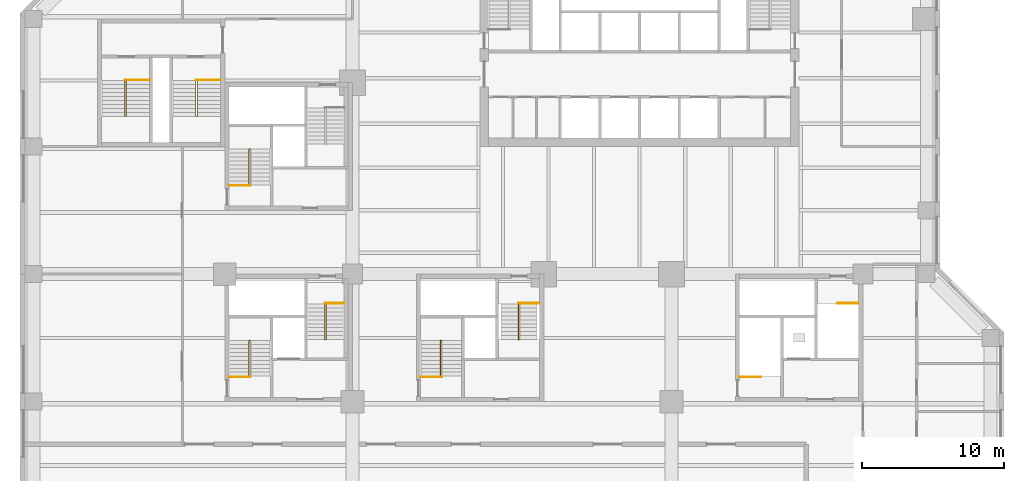
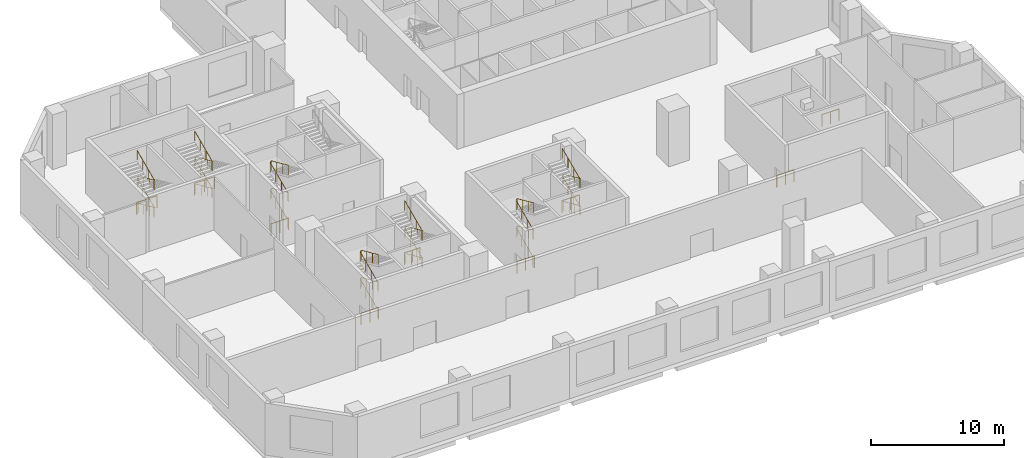
# One storey, part 11 of 12: 16 railings.
"""IFC4 building model written with IfcOpenShell, lengths in metres."""

from ifc_helpers import new_model, si_unit, direction, frame, origin, origin_2d, place, context, subcontext, project, spatial, circle, extrude, material, type_object, element, save


model = new_model("IFC4")

# Units and contexts
model_context = context("Model", 3, precision=1e-05, world=origin(), true_north=direction((0.0, 1.0)))
body_context = subcontext(model_context, "Body", "Model", "MODEL_VIEW")
ifc_project = project(units=[si_unit("LENGTHUNIT", "METRE"), si_unit("AREAUNIT", "SQUARE_METRE"), si_unit("VOLUMEUNIT", "CUBIC_METRE"), si_unit("PLANEANGLEUNIT", "RADIAN"), si_unit("MASSUNIT", "GRAM", prefix="KILO")], contexts=[model_context])

# Site, building, storey
site_placement = place(None, origin())
site = spatial("IfcSite", under=ifc_project, at=site_placement, CompositionType="ELEMENT")
building_placement = place(site_placement, origin())
building = spatial("IfcBuilding", under=site, at=building_placement, Name="Quoin Convention Tower", CompositionType="ELEMENT")
storey_placement = place(building_placement, frame((0.0, 0.0, 13.5)))
storey = spatial("IfcBuildingStorey", under=building, at=storey_placement, Name="L02", CompositionType="ELEMENT", Elevation=13.5)

# Railings
ifc_material = material(Name="Stainless steel", Category="steel")
railing_type_1 = type_object("IfcRailingType", Name="Stair handrail 900", PredefinedType="HANDRAIL", material=ifc_material)
railing_1_placement = place(storey_placement, frame((28.705078125, 46.800048828125, 0.125)))
element("IfcRailing", 1, at=railing_1_placement, inside=storey, type_object=railing_type_1, Name="SD3 handrail 1", PredefinedType="HANDRAIL", context=body_context, shape_type="SweptSolid", body=[
    extrude(circle(Radius=0.02392578125, at=origin_2d()), frame((0.0, 0.0, 0.8759765625), z_axis=(0.0, 0.913139058521, 0.407648205936), x_axis=(-1.0, 0.0, 0.0)), (0.0, 0.0, 1.0), 2.759765625),
    extrude(circle(Radius=0.02392578125, at=origin_2d()), frame((0.0, 2.52001953125, 2.0009765625), z_axis=(0.583636048153, 0.0, 0.812015371343), x_axis=(0.0, 1.0, 0.0)), (0.0, 0.0, 1.0), 0.154052734375),
    extrude(circle(Radius=0.02392578125, at=origin_2d()), frame((0.08984375, 2.52001953125, 2.1259765625), z_axis=(0.0, -0.913139058521, 0.407648205936), x_axis=(1.0, 0.0, 0.0)), (0.0, 0.0, 1.0), 2.759765625),
    extrude(circle(Radius=0.02392578125, at=origin_2d()), frame((0.08984375, 0.0, 3.2509765625), z_axis=(-0.583636048153, 0.0, 0.812015371343), x_axis=(0.0, -1.0, 0.0)), (0.0, 0.0, 1.0), 0.154052734375),
    extrude(circle(Radius=0.02392578125, at=origin_2d()), frame((0.0, 0.0, 3.3759765625), z_axis=(0.0, 0.913139058521, 0.407648205936), x_axis=(-1.0, 0.0, 0.0)), (0.0, 0.0, 1.0), 2.759765625),
    extrude(circle(Radius=0.02392578125, at=origin_2d()), frame((0.0, 2.52001953125, 4.5009765625), z_axis=(0.583636048153, 0.0, 0.812015371343), x_axis=(0.0, 1.0, 0.0)), (0.0, 0.0, 1.0), 0.154052734375),
    extrude(circle(Radius=0.02392578125, at=origin_2d()), frame((0.08984375, 2.52001953125, 4.6259765625), z_axis=(0.0, -0.913139058521, 0.407648205936), x_axis=(1.0, 0.0, 0.0)), (0.0, 0.0, 1.0), 2.759765625),
    extrude(circle(Radius=0.02099609375, at=origin_2d()), origin(), (0.0, 0.0, 1.0), 0.851806640625),
    extrude(circle(Radius=0.02099609375, at=origin_2d()), frame((0.0, 0.840087890625, 0.375)), (0.0, 0.0, 1.0), 0.851806640625),
    extrude(circle(Radius=0.02099609375, at=origin_2d()), frame((0.0, 1.679931640625, 0.75)), (0.0, 0.0, 1.0), 0.851806640625),
    extrude(circle(Radius=0.02099609375, at=origin_2d()), frame((0.0, 2.52001953125, 1.125)), (0.0, 0.0, 1.0), 0.851806640625),
    extrude(circle(Radius=0.02099609375, at=origin_2d()), frame((0.08984375, 2.52001953125, 1.25)), (0.0, 0.0, 1.0), 0.851806640625),
    extrude(circle(Radius=0.02099609375, at=origin_2d()), frame((0.08984375, 1.679931640625, 1.625)), (0.0, 0.0, 1.0), 0.851806640625),
    extrude(circle(Radius=0.02099609375, at=origin_2d()), frame((0.08984375, 0.840087890625, 2.0)), (0.0, 0.0, 1.0), 0.851806640625),
    extrude(circle(Radius=0.02099609375, at=origin_2d()), frame((0.08984375, 0.0, 2.375)), (0.0, 0.0, 1.0), 0.851806640625),
    extrude(circle(Radius=0.02099609375, at=origin_2d()), frame((0.0, 0.0, 2.5)), (0.0, 0.0, 1.0), 0.851806640625),
    extrude(circle(Radius=0.02099609375, at=origin_2d()), frame((0.0, 0.840087890625, 2.875)), (0.0, 0.0, 1.0), 0.851806640625),
    extrude(circle(Radius=0.02099609375, at=origin_2d()), frame((0.0, 1.679931640625, 3.25)), (0.0, 0.0, 1.0), 0.851806640625),
    extrude(circle(Radius=0.02099609375, at=origin_2d()), frame((0.0, 2.52001953125, 3.625)), (0.0, 0.0, 1.0), 0.851806640625),
    extrude(circle(Radius=0.02099609375, at=origin_2d()), frame((0.08984375, 2.52001953125, 3.75)), (0.0, 0.0, 1.0), 0.851806640625),
    extrude(circle(Radius=0.02099609375, at=origin_2d()), frame((0.08984375, 1.679931640625, 4.125)), (0.0, 0.0, 1.0), 0.851806640625),
    extrude(circle(Radius=0.02099609375, at=origin_2d()), frame((0.08984375, 0.840087890625, 4.5)), (0.0, 0.0, 1.0), 0.851806640625),
    extrude(circle(Radius=0.02099609375, at=origin_2d()), frame((0.08984375, 0.0, 4.875)), (0.0, 0.0, 1.0), 0.851806640625),
])
railing_2_placement = place(storey_placement, frame((42.205078125, 33.300048828125, 0.125)))
element("IfcRailing", 2, at=railing_2_placement, inside=storey, type_object=railing_type_1, Name="SD5 handrail 1", PredefinedType="HANDRAIL", context=body_context, shape_type="SweptSolid", body=[
    extrude(circle(Radius=0.02392578125, at=origin_2d()), frame((0.0, 0.0, 0.8759765625), z_axis=(0.0, 0.913139058521, 0.407648205936), x_axis=(-1.0, 0.0, 0.0)), (0.0, 0.0, 1.0), 2.759765625),
    extrude(circle(Radius=0.02392578125, at=origin_2d()), frame((0.0, 2.52001953125, 2.0009765625), z_axis=(0.583636048153, 0.0, 0.812015371343), x_axis=(0.0, 1.0, 0.0)), (0.0, 0.0, 1.0), 0.154052734375),
    extrude(circle(Radius=0.02392578125, at=origin_2d()), frame((0.08984375, 2.52001953125, 2.1259765625), z_axis=(0.0, -0.913139058521, 0.407648205936), x_axis=(1.0, 0.0, 0.0)), (0.0, 0.0, 1.0), 2.759765625),
    extrude(circle(Radius=0.02392578125, at=origin_2d()), frame((0.08984375, 0.0, 3.2509765625), z_axis=(-0.583636048153, 0.0, 0.812015371343), x_axis=(0.0, -1.0, 0.0)), (0.0, 0.0, 1.0), 0.154052734375),
    extrude(circle(Radius=0.02392578125, at=origin_2d()), frame((0.0, 0.0, 3.3759765625), z_axis=(0.0, 0.913139058521, 0.407648205936), x_axis=(-1.0, 0.0, 0.0)), (0.0, 0.0, 1.0), 2.759765625),
    extrude(circle(Radius=0.02392578125, at=origin_2d()), frame((0.0, 2.52001953125, 4.5009765625), z_axis=(0.583636048153, 0.0, 0.812015371343), x_axis=(0.0, 1.0, 0.0)), (0.0, 0.0, 1.0), 0.154052734375),
    extrude(circle(Radius=0.02392578125, at=origin_2d()), frame((0.08984375, 2.52001953125, 4.6259765625), z_axis=(0.0, -0.913139058521, 0.407648205936), x_axis=(1.0, 0.0, 0.0)), (0.0, 0.0, 1.0), 2.759765625),
    extrude(circle(Radius=0.02099609375, at=origin_2d()), origin(), (0.0, 0.0, 1.0), 0.851806640625),
    extrude(circle(Radius=0.02099609375, at=origin_2d()), frame((0.0, 0.840087890625, 0.375)), (0.0, 0.0, 1.0), 0.851806640625),
    extrude(circle(Radius=0.02099609375, at=origin_2d()), frame((0.0, 1.679931640625, 0.75)), (0.0, 0.0, 1.0), 0.851806640625),
    extrude(circle(Radius=0.02099609375, at=origin_2d()), frame((0.0, 2.52001953125, 1.125)), (0.0, 0.0, 1.0), 0.851806640625),
    extrude(circle(Radius=0.02099609375, at=origin_2d()), frame((0.08984375, 2.52001953125, 1.25)), (0.0, 0.0, 1.0), 0.851806640625),
    extrude(circle(Radius=0.02099609375, at=origin_2d()), frame((0.08984375, 1.679931640625, 1.625)), (0.0, 0.0, 1.0), 0.851806640625),
    extrude(circle(Radius=0.02099609375, at=origin_2d()), frame((0.08984375, 0.840087890625, 2.0)), (0.0, 0.0, 1.0), 0.851806640625),
    extrude(circle(Radius=0.02099609375, at=origin_2d()), frame((0.08984375, 0.0, 2.375)), (0.0, 0.0, 1.0), 0.851806640625),
    extrude(circle(Radius=0.02099609375, at=origin_2d()), frame((0.0, 0.0, 2.5)), (0.0, 0.0, 1.0), 0.851806640625),
    extrude(circle(Radius=0.02099609375, at=origin_2d()), frame((0.0, 0.840087890625, 2.875)), (0.0, 0.0, 1.0), 0.851806640625),
    extrude(circle(Radius=0.02099609375, at=origin_2d()), frame((0.0, 1.679931640625, 3.25)), (0.0, 0.0, 1.0), 0.851806640625),
    extrude(circle(Radius=0.02099609375, at=origin_2d()), frame((0.0, 2.52001953125, 3.625)), (0.0, 0.0, 1.0), 0.851806640625),
    extrude(circle(Radius=0.02099609375, at=origin_2d()), frame((0.08984375, 2.52001953125, 3.75)), (0.0, 0.0, 1.0), 0.851806640625),
    extrude(circle(Radius=0.02099609375, at=origin_2d()), frame((0.08984375, 1.679931640625, 4.125)), (0.0, 0.0, 1.0), 0.851806640625),
    extrude(circle(Radius=0.02099609375, at=origin_2d()), frame((0.08984375, 0.840087890625, 4.5)), (0.0, 0.0, 1.0), 0.851806640625),
    extrude(circle(Radius=0.02099609375, at=origin_2d()), frame((0.08984375, 0.0, 4.875)), (0.0, 0.0, 1.0), 0.851806640625),
])
railing_3_placement = place(storey_placement, frame((47.794921875, 38.39990234375, 0.125)))
element("IfcRailing", 3, at=railing_3_placement, inside=storey, type_object=railing_type_1, Name="SD6 handrail 1", PredefinedType="HANDRAIL", context=body_context, shape_type="SweptSolid", body=[
    extrude(circle(Radius=0.02392578125, at=origin_2d()), frame((0.0, 0.0, 0.8759765625), z_axis=(0.0, -0.913139058521, 0.407648205936), x_axis=(1.0, 0.0, 0.0)), (0.0, 0.0, 1.0), 2.759765625),
    extrude(circle(Radius=0.02392578125, at=origin_2d()), frame((0.0, -2.52001953125, 2.0009765625), z_axis=(-0.583636048153, 0.0, 0.812015371343), x_axis=(0.0, -1.0, 0.0)), (0.0, 0.0, 1.0), 0.154052734375),
    extrude(circle(Radius=0.02392578125, at=origin_2d()), frame((-0.08984375, -2.52001953125, 2.1259765625), z_axis=(0.0, 0.913139058521, 0.407648205936), x_axis=(-1.0, 0.0, 0.0)), (0.0, 0.0, 1.0), 2.759765625),
    extrude(circle(Radius=0.02392578125, at=origin_2d()), frame((-0.08984375, 0.0, 3.2509765625), z_axis=(0.583636048153, 0.0, 0.812015371343), x_axis=(0.0, 1.0, 0.0)), (0.0, 0.0, 1.0), 0.154052734375),
    extrude(circle(Radius=0.02392578125, at=origin_2d()), frame((0.0, 0.0, 3.3759765625), z_axis=(0.0, -0.913139058521, 0.407648205936), x_axis=(1.0, 0.0, 0.0)), (0.0, 0.0, 1.0), 2.759765625),
    extrude(circle(Radius=0.02392578125, at=origin_2d()), frame((0.0, -2.52001953125, 4.5009765625), z_axis=(-0.583636048153, 0.0, 0.812015371343), x_axis=(0.0, -1.0, 0.0)), (0.0, 0.0, 1.0), 0.154052734375),
    extrude(circle(Radius=0.02392578125, at=origin_2d()), frame((-0.08984375, -2.52001953125, 4.6259765625), z_axis=(0.0, 0.913139058521, 0.407648205936), x_axis=(-1.0, 0.0, 0.0)), (0.0, 0.0, 1.0), 2.759765625),
    extrude(circle(Radius=0.02099609375, at=origin_2d()), origin(), (0.0, 0.0, 1.0), 0.851806640625),
    extrude(circle(Radius=0.02099609375, at=origin_2d()), frame((0.0, -0.840087890625, 0.375)), (0.0, 0.0, 1.0), 0.851806640625),
    extrude(circle(Radius=0.02099609375, at=origin_2d()), frame((0.0, -1.679931640625, 0.75)), (0.0, 0.0, 1.0), 0.851806640625),
    extrude(circle(Radius=0.02099609375, at=origin_2d()), frame((0.0, -2.52001953125, 1.125)), (0.0, 0.0, 1.0), 0.851806640625),
    extrude(circle(Radius=0.02099609375, at=origin_2d()), frame((-0.08984375, -2.52001953125, 1.25)), (0.0, 0.0, 1.0), 0.851806640625),
    extrude(circle(Radius=0.02099609375, at=origin_2d()), frame((-0.08984375, -1.679931640625, 1.625)), (0.0, 0.0, 1.0), 0.851806640625),
    extrude(circle(Radius=0.02099609375, at=origin_2d()), frame((-0.08984375, -0.840087890625, 2.0)), (0.0, 0.0, 1.0), 0.851806640625),
    extrude(circle(Radius=0.02099609375, at=origin_2d()), frame((-0.08984375, 0.0, 2.375)), (0.0, 0.0, 1.0), 0.851806640625),
    extrude(circle(Radius=0.02099609375, at=origin_2d()), frame((0.0, 0.0, 2.5)), (0.0, 0.0, 1.0), 0.851806640625),
    extrude(circle(Radius=0.02099609375, at=origin_2d()), frame((0.0, -0.840087890625, 2.875)), (0.0, 0.0, 1.0), 0.851806640625),
    extrude(circle(Radius=0.02099609375, at=origin_2d()), frame((0.0, -1.679931640625, 3.25)), (0.0, 0.0, 1.0), 0.851806640625),
    extrude(circle(Radius=0.02099609375, at=origin_2d()), frame((0.0, -2.52001953125, 3.625)), (0.0, 0.0, 1.0), 0.851806640625),
    extrude(circle(Radius=0.02099609375, at=origin_2d()), frame((-0.08984375, -2.52001953125, 3.75)), (0.0, 0.0, 1.0), 0.851806640625),
    extrude(circle(Radius=0.02099609375, at=origin_2d()), frame((-0.08984375, -1.679931640625, 4.125)), (0.0, 0.0, 1.0), 0.851806640625),
    extrude(circle(Radius=0.02099609375, at=origin_2d()), frame((-0.08984375, -0.840087890625, 4.5)), (0.0, 0.0, 1.0), 0.851806640625),
    extrude(circle(Radius=0.02099609375, at=origin_2d()), frame((-0.08984375, 0.0, 4.875)), (0.0, 0.0, 1.0), 0.851806640625),
])
railing_4_placement = place(storey_placement, frame((28.705078125, 33.300048828125, 0.125)))
element("IfcRailing", 4, at=railing_4_placement, inside=storey, type_object=railing_type_1, Name="SD7 handrail 1", PredefinedType="HANDRAIL", context=body_context, shape_type="SweptSolid", body=[
    extrude(circle(Radius=0.02392578125, at=origin_2d()), frame((0.0, 0.0, 0.8759765625), z_axis=(0.0, 0.913139058521, 0.407648205936), x_axis=(-1.0, 0.0, 0.0)), (0.0, 0.0, 1.0), 2.759765625),
    extrude(circle(Radius=0.02392578125, at=origin_2d()), frame((0.0, 2.52001953125, 2.0009765625), z_axis=(0.583636048153, 0.0, 0.812015371343), x_axis=(0.0, 1.0, 0.0)), (0.0, 0.0, 1.0), 0.154052734375),
    extrude(circle(Radius=0.02392578125, at=origin_2d()), frame((0.08984375, 2.52001953125, 2.1259765625), z_axis=(0.0, -0.913139058521, 0.407648205936), x_axis=(1.0, 0.0, 0.0)), (0.0, 0.0, 1.0), 2.759765625),
    extrude(circle(Radius=0.02392578125, at=origin_2d()), frame((0.08984375, 0.0, 3.2509765625), z_axis=(-0.583636048153, 0.0, 0.812015371343), x_axis=(0.0, -1.0, 0.0)), (0.0, 0.0, 1.0), 0.154052734375),
    extrude(circle(Radius=0.02392578125, at=origin_2d()), frame((0.0, 0.0, 3.3759765625), z_axis=(0.0, 0.913139058521, 0.407648205936), x_axis=(-1.0, 0.0, 0.0)), (0.0, 0.0, 1.0), 2.759765625),
    extrude(circle(Radius=0.02392578125, at=origin_2d()), frame((0.0, 2.52001953125, 4.5009765625), z_axis=(0.583636048153, 0.0, 0.812015371343), x_axis=(0.0, 1.0, 0.0)), (0.0, 0.0, 1.0), 0.154052734375),
    extrude(circle(Radius=0.02392578125, at=origin_2d()), frame((0.08984375, 2.52001953125, 4.6259765625), z_axis=(0.0, -0.913139058521, 0.407648205936), x_axis=(1.0, 0.0, 0.0)), (0.0, 0.0, 1.0), 2.759765625),
    extrude(circle(Radius=0.02099609375, at=origin_2d()), origin(), (0.0, 0.0, 1.0), 0.851806640625),
    extrude(circle(Radius=0.02099609375, at=origin_2d()), frame((0.0, 0.840087890625, 0.375)), (0.0, 0.0, 1.0), 0.851806640625),
    extrude(circle(Radius=0.02099609375, at=origin_2d()), frame((0.0, 1.679931640625, 0.75)), (0.0, 0.0, 1.0), 0.851806640625),
    extrude(circle(Radius=0.02099609375, at=origin_2d()), frame((0.0, 2.52001953125, 1.125)), (0.0, 0.0, 1.0), 0.851806640625),
    extrude(circle(Radius=0.02099609375, at=origin_2d()), frame((0.08984375, 2.52001953125, 1.25)), (0.0, 0.0, 1.0), 0.851806640625),
    extrude(circle(Radius=0.02099609375, at=origin_2d()), frame((0.08984375, 1.679931640625, 1.625)), (0.0, 0.0, 1.0), 0.851806640625),
    extrude(circle(Radius=0.02099609375, at=origin_2d()), frame((0.08984375, 0.840087890625, 2.0)), (0.0, 0.0, 1.0), 0.851806640625),
    extrude(circle(Radius=0.02099609375, at=origin_2d()), frame((0.08984375, 0.0, 2.375)), (0.0, 0.0, 1.0), 0.851806640625),
    extrude(circle(Radius=0.02099609375, at=origin_2d()), frame((0.0, 0.0, 2.5)), (0.0, 0.0, 1.0), 0.851806640625),
    extrude(circle(Radius=0.02099609375, at=origin_2d()), frame((0.0, 0.840087890625, 2.875)), (0.0, 0.0, 1.0), 0.851806640625),
    extrude(circle(Radius=0.02099609375, at=origin_2d()), frame((0.0, 1.679931640625, 3.25)), (0.0, 0.0, 1.0), 0.851806640625),
    extrude(circle(Radius=0.02099609375, at=origin_2d()), frame((0.0, 2.52001953125, 3.625)), (0.0, 0.0, 1.0), 0.851806640625),
    extrude(circle(Radius=0.02099609375, at=origin_2d()), frame((0.08984375, 2.52001953125, 3.75)), (0.0, 0.0, 1.0), 0.851806640625),
    extrude(circle(Radius=0.02099609375, at=origin_2d()), frame((0.08984375, 1.679931640625, 4.125)), (0.0, 0.0, 1.0), 0.851806640625),
    extrude(circle(Radius=0.02099609375, at=origin_2d()), frame((0.08984375, 0.840087890625, 4.5)), (0.0, 0.0, 1.0), 0.851806640625),
    extrude(circle(Radius=0.02099609375, at=origin_2d()), frame((0.08984375, 0.0, 4.875)), (0.0, 0.0, 1.0), 0.851806640625),
])
railing_5_placement = place(storey_placement, frame((34.14501953125, 38.39990234375, 0.125)))
element("IfcRailing", 5, at=railing_5_placement, inside=storey, type_object=railing_type_1, Name="SD8 handrail 1", PredefinedType="HANDRAIL", context=body_context, shape_type="SweptSolid", body=[
    extrude(circle(Radius=0.02392578125, at=origin_2d()), frame((0.0, 0.0, 0.8759765625), z_axis=(0.0, -0.913139058521, 0.407648205936), x_axis=(1.0, 0.0, 0.0)), (0.0, 0.0, 1.0), 2.759765625),
    extrude(circle(Radius=0.02392578125, at=origin_2d()), frame((0.0, -2.52001953125, 2.0009765625), z_axis=(-0.584680334893, 0.0, 0.811263770909), x_axis=(0.0, -1.0, 0.0)), (0.0, 0.0, 1.0), 0.154052734375),
    extrude(circle(Radius=0.02392578125, at=origin_2d()), frame((-0.090087890625, -2.52001953125, 2.1259765625), z_axis=(0.0, 0.913139058521, 0.407648205936), x_axis=(-1.0, 0.0, 0.0)), (0.0, 0.0, 1.0), 2.759765625),
    extrude(circle(Radius=0.02392578125, at=origin_2d()), frame((-0.090087890625, 0.0, 3.2509765625), z_axis=(0.584680334893, 0.0, 0.811263770909), x_axis=(0.0, 1.0, 0.0)), (0.0, 0.0, 1.0), 0.154052734375),
    extrude(circle(Radius=0.02392578125, at=origin_2d()), frame((0.0, 0.0, 3.3759765625), z_axis=(0.0, -0.913139058521, 0.407648205936), x_axis=(1.0, 0.0, 0.0)), (0.0, 0.0, 1.0), 2.759765625),
    extrude(circle(Radius=0.02392578125, at=origin_2d()), frame((0.0, -2.52001953125, 4.5009765625), z_axis=(-0.584680334893, 0.0, 0.811263770909), x_axis=(0.0, -1.0, 0.0)), (0.0, 0.0, 1.0), 0.154052734375),
    extrude(circle(Radius=0.02392578125, at=origin_2d()), frame((-0.090087890625, -2.52001953125, 4.6259765625), z_axis=(0.0, 0.913139058521, 0.407648205936), x_axis=(-1.0, 0.0, 0.0)), (0.0, 0.0, 1.0), 2.759765625),
    extrude(circle(Radius=0.02099609375, at=origin_2d()), origin(), (0.0, 0.0, 1.0), 0.851806640625),
    extrude(circle(Radius=0.02099609375, at=origin_2d()), frame((0.0, -0.840087890625, 0.375)), (0.0, 0.0, 1.0), 0.851806640625),
    extrude(circle(Radius=0.02099609375, at=origin_2d()), frame((0.0, -1.679931640625, 0.75)), (0.0, 0.0, 1.0), 0.851806640625),
    extrude(circle(Radius=0.02099609375, at=origin_2d()), frame((0.0, -2.52001953125, 1.125)), (0.0, 0.0, 1.0), 0.851806640625),
    extrude(circle(Radius=0.02099609375, at=origin_2d()), frame((-0.090087890625, -2.52001953125, 1.25)), (0.0, 0.0, 1.0), 0.851806640625),
    extrude(circle(Radius=0.02099609375, at=origin_2d()), frame((-0.090087890625, -1.679931640625, 1.625)), (0.0, 0.0, 1.0), 0.851806640625),
    extrude(circle(Radius=0.02099609375, at=origin_2d()), frame((-0.090087890625, -0.840087890625, 2.0)), (0.0, 0.0, 1.0), 0.851806640625),
    extrude(circle(Radius=0.02099609375, at=origin_2d()), frame((-0.090087890625, 0.0, 2.375)), (0.0, 0.0, 1.0), 0.851806640625),
    extrude(circle(Radius=0.02099609375, at=origin_2d()), frame((0.0, 0.0, 2.5)), (0.0, 0.0, 1.0), 0.851806640625),
    extrude(circle(Radius=0.02099609375, at=origin_2d()), frame((0.0, -0.840087890625, 2.875)), (0.0, 0.0, 1.0), 0.851806640625),
    extrude(circle(Radius=0.02099609375, at=origin_2d()), frame((0.0, -1.679931640625, 3.25)), (0.0, 0.0, 1.0), 0.851806640625),
    extrude(circle(Radius=0.02099609375, at=origin_2d()), frame((0.0, -2.52001953125, 3.625)), (0.0, 0.0, 1.0), 0.851806640625),
    extrude(circle(Radius=0.02099609375, at=origin_2d()), frame((-0.090087890625, -2.52001953125, 3.75)), (0.0, 0.0, 1.0), 0.851806640625),
    extrude(circle(Radius=0.02099609375, at=origin_2d()), frame((-0.090087890625, -1.679931640625, 4.125)), (0.0, 0.0, 1.0), 0.851806640625),
    extrude(circle(Radius=0.02099609375, at=origin_2d()), frame((-0.090087890625, -0.840087890625, 4.5)), (0.0, 0.0, 1.0), 0.851806640625),
    extrude(circle(Radius=0.02099609375, at=origin_2d()), frame((-0.090087890625, 0.0, 4.875)), (0.0, 0.0, 1.0), 0.851806640625),
])
railing_6_placement = place(storey_placement, frame((20.044921875, 54.14990234375, 0.125)))
element("IfcRailing", 6, at=railing_6_placement, inside=storey, type_object=railing_type_1, Name="SD11 handrail 1", PredefinedType="HANDRAIL", context=body_context, shape_type="SweptSolid", body=[
    extrude(circle(Radius=0.02392578125, at=origin_2d()), frame((0.0, 0.0, 0.8759765625), z_axis=(0.0, -0.913139058521, 0.407648205936), x_axis=(1.0, 0.0, 0.0)), (0.0, 0.0, 1.0), 2.759765625),
    extrude(circle(Radius=0.02392578125, at=origin_2d()), frame((0.0, -2.52001953125, 2.0009765625), z_axis=(-0.583636048153, 0.0, 0.812015371343), x_axis=(0.0, -1.0, 0.0)), (0.0, 0.0, 1.0), 0.154052734375),
    extrude(circle(Radius=0.02392578125, at=origin_2d()), frame((-0.08984375, -2.52001953125, 2.1259765625), z_axis=(0.0, 0.913139058521, 0.407648205936), x_axis=(-1.0, 0.0, 0.0)), (0.0, 0.0, 1.0), 2.759765625),
    extrude(circle(Radius=0.02392578125, at=origin_2d()), frame((-0.08984375, 0.0, 3.2509765625), z_axis=(0.583636048153, 0.0, 0.812015371343), x_axis=(0.0, 1.0, 0.0)), (0.0, 0.0, 1.0), 0.154052734375),
    extrude(circle(Radius=0.02392578125, at=origin_2d()), frame((0.0, 0.0, 3.3759765625), z_axis=(0.0, -0.913139058521, 0.407648205936), x_axis=(1.0, 0.0, 0.0)), (0.0, 0.0, 1.0), 2.759765625),
    extrude(circle(Radius=0.02392578125, at=origin_2d()), frame((0.0, -2.52001953125, 4.5009765625), z_axis=(-0.583636048153, 0.0, 0.812015371343), x_axis=(0.0, -1.0, 0.0)), (0.0, 0.0, 1.0), 0.154052734375),
    extrude(circle(Radius=0.02392578125, at=origin_2d()), frame((-0.08984375, -2.52001953125, 4.6259765625), z_axis=(0.0, 0.913139058521, 0.407648205936), x_axis=(-1.0, 0.0, 0.0)), (0.0, 0.0, 1.0), 2.759765625),
    extrude(circle(Radius=0.02099609375, at=origin_2d()), origin(), (0.0, 0.0, 1.0), 0.851806640625),
    extrude(circle(Radius=0.02099609375, at=origin_2d()), frame((0.0, -0.840087890625, 0.375)), (0.0, 0.0, 1.0), 0.851806640625),
    extrude(circle(Radius=0.02099609375, at=origin_2d()), frame((0.0, -1.679931640625, 0.75)), (0.0, 0.0, 1.0), 0.851806640625),
    extrude(circle(Radius=0.02099609375, at=origin_2d()), frame((0.0, -2.52001953125, 1.125)), (0.0, 0.0, 1.0), 0.851806640625),
    extrude(circle(Radius=0.02099609375, at=origin_2d()), frame((-0.08984375, -2.52001953125, 1.25)), (0.0, 0.0, 1.0), 0.851806640625),
    extrude(circle(Radius=0.02099609375, at=origin_2d()), frame((-0.08984375, -1.679931640625, 1.625)), (0.0, 0.0, 1.0), 0.851806640625),
    extrude(circle(Radius=0.02099609375, at=origin_2d()), frame((-0.08984375, -0.840087890625, 2.0)), (0.0, 0.0, 1.0), 0.851806640625),
    extrude(circle(Radius=0.02099609375, at=origin_2d()), frame((-0.08984375, 0.0, 2.375)), (0.0, 0.0, 1.0), 0.851806640625),
    extrude(circle(Radius=0.02099609375, at=origin_2d()), frame((0.0, 0.0, 2.5)), (0.0, 0.0, 1.0), 0.851806640625),
    extrude(circle(Radius=0.02099609375, at=origin_2d()), frame((0.0, -0.840087890625, 2.875)), (0.0, 0.0, 1.0), 0.851806640625),
    extrude(circle(Radius=0.02099609375, at=origin_2d()), frame((0.0, -1.679931640625, 3.25)), (0.0, 0.0, 1.0), 0.851806640625),
    extrude(circle(Radius=0.02099609375, at=origin_2d()), frame((0.0, -2.52001953125, 3.625)), (0.0, 0.0, 1.0), 0.851806640625),
    extrude(circle(Radius=0.02099609375, at=origin_2d()), frame((-0.08984375, -2.52001953125, 3.75)), (0.0, 0.0, 1.0), 0.851806640625),
    extrude(circle(Radius=0.02099609375, at=origin_2d()), frame((-0.08984375, -1.679931640625, 4.125)), (0.0, 0.0, 1.0), 0.851806640625),
    extrude(circle(Radius=0.02099609375, at=origin_2d()), frame((-0.08984375, -0.840087890625, 4.5)), (0.0, 0.0, 1.0), 0.851806640625),
    extrude(circle(Radius=0.02099609375, at=origin_2d()), frame((-0.08984375, 0.0, 4.875)), (0.0, 0.0, 1.0), 0.851806640625),
])
railing_7_placement = place(storey_placement, frame((25.044921875, 54.14990234375, 0.125)))
element("IfcRailing", 7, at=railing_7_placement, inside=storey, type_object=railing_type_1, Name="SD12 handrail 1", PredefinedType="HANDRAIL", context=body_context, shape_type="SweptSolid", body=[
    extrude(circle(Radius=0.02392578125, at=origin_2d()), frame((0.0, 0.0, 0.8759765625), z_axis=(0.0, -0.913139058521, 0.407648205936), x_axis=(1.0, 0.0, 0.0)), (0.0, 0.0, 1.0), 2.759765625),
    extrude(circle(Radius=0.02392578125, at=origin_2d()), frame((0.0, -2.52001953125, 2.0009765625), z_axis=(-0.583636048153, 0.0, 0.812015371343), x_axis=(0.0, -1.0, 0.0)), (0.0, 0.0, 1.0), 0.154052734375),
    extrude(circle(Radius=0.02392578125, at=origin_2d()), frame((-0.08984375, -2.52001953125, 2.1259765625), z_axis=(0.0, 0.913139058521, 0.407648205936), x_axis=(-1.0, 0.0, 0.0)), (0.0, 0.0, 1.0), 2.759765625),
    extrude(circle(Radius=0.02392578125, at=origin_2d()), frame((-0.08984375, 0.0, 3.2509765625), z_axis=(0.583636048153, 0.0, 0.812015371343), x_axis=(0.0, 1.0, 0.0)), (0.0, 0.0, 1.0), 0.154052734375),
    extrude(circle(Radius=0.02392578125, at=origin_2d()), frame((0.0, 0.0, 3.3759765625), z_axis=(0.0, -0.913139058521, 0.407648205936), x_axis=(1.0, 0.0, 0.0)), (0.0, 0.0, 1.0), 2.759765625),
    extrude(circle(Radius=0.02392578125, at=origin_2d()), frame((0.0, -2.52001953125, 4.5009765625), z_axis=(-0.583636048153, 0.0, 0.812015371343), x_axis=(0.0, -1.0, 0.0)), (0.0, 0.0, 1.0), 0.154052734375),
    extrude(circle(Radius=0.02392578125, at=origin_2d()), frame((-0.08984375, -2.52001953125, 4.6259765625), z_axis=(0.0, 0.913139058521, 0.407648205936), x_axis=(-1.0, 0.0, 0.0)), (0.0, 0.0, 1.0), 2.759765625),
    extrude(circle(Radius=0.02099609375, at=origin_2d()), origin(), (0.0, 0.0, 1.0), 0.851806640625),
    extrude(circle(Radius=0.02099609375, at=origin_2d()), frame((0.0, -0.840087890625, 0.375)), (0.0, 0.0, 1.0), 0.851806640625),
    extrude(circle(Radius=0.02099609375, at=origin_2d()), frame((0.0, -1.679931640625, 0.75)), (0.0, 0.0, 1.0), 0.851806640625),
    extrude(circle(Radius=0.02099609375, at=origin_2d()), frame((0.0, -2.52001953125, 1.125)), (0.0, 0.0, 1.0), 0.851806640625),
    extrude(circle(Radius=0.02099609375, at=origin_2d()), frame((-0.08984375, -2.52001953125, 1.25)), (0.0, 0.0, 1.0), 0.851806640625),
    extrude(circle(Radius=0.02099609375, at=origin_2d()), frame((-0.08984375, -1.679931640625, 1.625)), (0.0, 0.0, 1.0), 0.851806640625),
    extrude(circle(Radius=0.02099609375, at=origin_2d()), frame((-0.08984375, -0.840087890625, 2.0)), (0.0, 0.0, 1.0), 0.851806640625),
    extrude(circle(Radius=0.02099609375, at=origin_2d()), frame((-0.08984375, 0.0, 2.375)), (0.0, 0.0, 1.0), 0.851806640625),
    extrude(circle(Radius=0.02099609375, at=origin_2d()), frame((0.0, 0.0, 2.5)), (0.0, 0.0, 1.0), 0.851806640625),
    extrude(circle(Radius=0.02099609375, at=origin_2d()), frame((0.0, -0.840087890625, 2.875)), (0.0, 0.0, 1.0), 0.851806640625),
    extrude(circle(Radius=0.02099609375, at=origin_2d()), frame((0.0, -1.679931640625, 3.25)), (0.0, 0.0, 1.0), 0.851806640625),
    extrude(circle(Radius=0.02099609375, at=origin_2d()), frame((0.0, -2.52001953125, 3.625)), (0.0, 0.0, 1.0), 0.851806640625),
    extrude(circle(Radius=0.02099609375, at=origin_2d()), frame((-0.08984375, -2.52001953125, 3.75)), (0.0, 0.0, 1.0), 0.851806640625),
    extrude(circle(Radius=0.02099609375, at=origin_2d()), frame((-0.08984375, -1.679931640625, 4.125)), (0.0, 0.0, 1.0), 0.851806640625),
    extrude(circle(Radius=0.02099609375, at=origin_2d()), frame((-0.08984375, -0.840087890625, 4.5)), (0.0, 0.0, 1.0), 0.851806640625),
    extrude(circle(Radius=0.02099609375, at=origin_2d()), frame((-0.08984375, 0.0, 4.875)), (0.0, 0.0, 1.0), 0.851806640625),
])
railing_type_2 = type_object("IfcRailingType", Name="Stair top guard 1100", PredefinedType="GUARDRAIL", material=ifc_material)
for number, where, name in (
    (8, (27.300048828125, 46.75, 0.0), "SD3 top guard"),
    (9, (40.800048828125, 33.25, 0.0), "SD5 top guard"),
):
    element("IfcRailing", number, at=place(storey_placement, frame(where)), inside=storey, type_object=railing_type_2, Name=name, PredefinedType="GUARDRAIL", context=body_context, shape_type="SweptSolid", body=[
        extrude(circle(Radius=0.02392578125, at=origin_2d()), frame((0.0, 0.0, 1.076171875), z_axis=(1.0, 0.0, 0.0), x_axis=(0.0, 1.0, 0.0)), (0.0, 0.0, 1.0), 1.494873046875),
        extrude(circle(Radius=0.02099609375, at=origin_2d()), origin(), (0.0, 0.0, 1.0), 1.052001953125),
        extrude(circle(Radius=0.02099609375, at=origin_2d()), frame((0.74755859375, 0.0, 0.0)), (0.0, 0.0, 1.0), 1.052001953125),
        extrude(circle(Radius=0.02099609375, at=origin_2d()), frame((1.494873046875, 0.0, 0.0)), (0.0, 0.0, 1.0), 1.052001953125),
    ])
railing_8_placement = place(storey_placement, frame((49.199951171875, 38.449951171875, 0.0)))
element("IfcRailing", 10, at=railing_8_placement, inside=storey, type_object=railing_type_2, Name="SD6 top guard", PredefinedType="GUARDRAIL", context=body_context, shape_type="SweptSolid", body=[
    extrude(circle(Radius=0.02392578125, at=origin_2d()), frame((0.0, 0.0, 1.076171875), z_axis=(-1.0, 0.0, 0.0), x_axis=(0.0, -1.0, 0.0)), (0.0, 0.0, 1.0), 1.494873046875),
    extrude(circle(Radius=0.02099609375, at=origin_2d()), origin(), (0.0, 0.0, 1.0), 1.052001953125),
    extrude(circle(Radius=0.02099609375, at=origin_2d()), frame((-0.74755859375, 0.0, 0.0)), (0.0, 0.0, 1.0), 1.052001953125),
    extrude(circle(Radius=0.02099609375, at=origin_2d()), frame((-1.494873046875, 0.0, 0.0)), (0.0, 0.0, 1.0), 1.052001953125),
])
railing_9_placement = place(storey_placement, frame((27.300048828125, 33.25, 0.0)))
element("IfcRailing", 11, at=railing_9_placement, inside=storey, type_object=railing_type_2, Name="SD7 top guard", PredefinedType="GUARDRAIL", context=body_context, shape_type="SweptSolid", body=[
    extrude(circle(Radius=0.02392578125, at=origin_2d()), frame((0.0, 0.0, 1.076171875), z_axis=(1.0, 0.0, 0.0), x_axis=(0.0, 1.0, 0.0)), (0.0, 0.0, 1.0), 1.494873046875),
    extrude(circle(Radius=0.02099609375, at=origin_2d()), origin(), (0.0, 0.0, 1.0), 1.052001953125),
    extrude(circle(Radius=0.02099609375, at=origin_2d()), frame((0.74755859375, 0.0, 0.0)), (0.0, 0.0, 1.0), 1.052001953125),
    extrude(circle(Radius=0.02099609375, at=origin_2d()), frame((1.494873046875, 0.0, 0.0)), (0.0, 0.0, 1.0), 1.052001953125),
])
railing_10_placement = place(storey_placement, frame((35.39990234375, 38.449951171875, 0.0)))
element("IfcRailing", 12, at=railing_10_placement, inside=storey, type_object=railing_type_2, Name="SD8 top guard", PredefinedType="GUARDRAIL", context=body_context, shape_type="SweptSolid", body=[
    extrude(circle(Radius=0.02392578125, at=origin_2d()), frame((0.0, 0.0, 1.076171875), z_axis=(-1.0, 0.0, 0.0), x_axis=(0.0, -1.0, 0.0)), (0.0, 0.0, 1.0), 1.344970703125),
    extrude(circle(Radius=0.02099609375, at=origin_2d()), origin(), (0.0, 0.0, 1.0), 1.052001953125),
    extrude(circle(Radius=0.02099609375, at=origin_2d()), frame((-0.67236328125, 0.0, 0.0)), (0.0, 0.0, 1.0), 1.052001953125),
    extrude(circle(Radius=0.02099609375, at=origin_2d()), frame((-1.344970703125, 0.0, 0.0)), (0.0, 0.0, 1.0), 1.052001953125),
])
railing_11_placement = place(storey_placement, frame((63.300048828125, 33.25, 0.0)))
element("IfcRailing", 13, at=railing_11_placement, inside=storey, type_object=railing_type_2, Name="SD9 top guard", PredefinedType="GUARDRAIL", context=body_context, shape_type="SweptSolid", body=[
    extrude(circle(Radius=0.02392578125, at=origin_2d()), frame((0.0, 0.0, 1.076171875), z_axis=(1.0, 0.0, 0.0), x_axis=(0.0, 1.0, 0.0)), (0.0, 0.0, 1.0), 1.494873046875),
    extrude(circle(Radius=0.02099609375, at=origin_2d()), origin(), (0.0, 0.0, 1.0), 1.052001953125),
    extrude(circle(Radius=0.02099609375, at=origin_2d()), frame((0.74755859375, 0.0, 0.0)), (0.0, 0.0, 1.0), 1.052001953125),
    extrude(circle(Radius=0.02099609375, at=origin_2d()), frame((1.494873046875, 0.0, 0.0)), (0.0, 0.0, 1.0), 1.052001953125),
])
railing_12_placement = place(storey_placement, frame((71.699951171875, 38.449951171875, 0.0)))
element("IfcRailing", 14, at=railing_12_placement, inside=storey, type_object=railing_type_2, Name="SD10 top guard", PredefinedType="GUARDRAIL", context=body_context, shape_type="SweptSolid", body=[
    extrude(circle(Radius=0.02392578125, at=origin_2d()), frame((0.0, 0.0, 1.076171875), z_axis=(-1.0, 0.0, 0.0), x_axis=(0.0, -1.0, 0.0)), (0.0, 0.0, 1.0), 1.494873046875),
    extrude(circle(Radius=0.02099609375, at=origin_2d()), origin(), (0.0, 0.0, 1.0), 1.052001953125),
    extrude(circle(Radius=0.02099609375, at=origin_2d()), frame((-0.74755859375, 0.0, 0.0)), (0.0, 0.0, 1.0), 1.052001953125),
    extrude(circle(Radius=0.02099609375, at=origin_2d()), frame((-1.494873046875, 0.0, 0.0)), (0.0, 0.0, 1.0), 1.052001953125),
])
for number, where, name in (
    (15, (21.699951171875, 54.199951171875, 0.0), "SD11 top guard"),
    (16, (26.699951171875, 54.199951171875, 0.0), "SD12 top guard"),
):
    element("IfcRailing", number, at=place(storey_placement, frame(where)), inside=storey, type_object=railing_type_2, Name=name, PredefinedType="GUARDRAIL", context=body_context, shape_type="SweptSolid", body=[
        extrude(circle(Radius=0.02392578125, at=origin_2d()), frame((0.0, 0.0, 1.076171875), z_axis=(-1.0, 0.0, 0.0), x_axis=(0.0, -1.0, 0.0)), (0.0, 0.0, 1.0), 1.744873046875),
        extrude(circle(Radius=0.02099609375, at=origin_2d()), origin(), (0.0, 0.0, 1.0), 1.052001953125),
        extrude(circle(Radius=0.02099609375, at=origin_2d()), frame((-0.87255859375, 0.0, 0.0)), (0.0, 0.0, 1.0), 1.052001953125),
        extrude(circle(Radius=0.02099609375, at=origin_2d()), frame((-1.744873046875, 0.0, 0.0)), (0.0, 0.0, 1.0), 1.052001953125),
    ])

save(model, "model.ifc")
